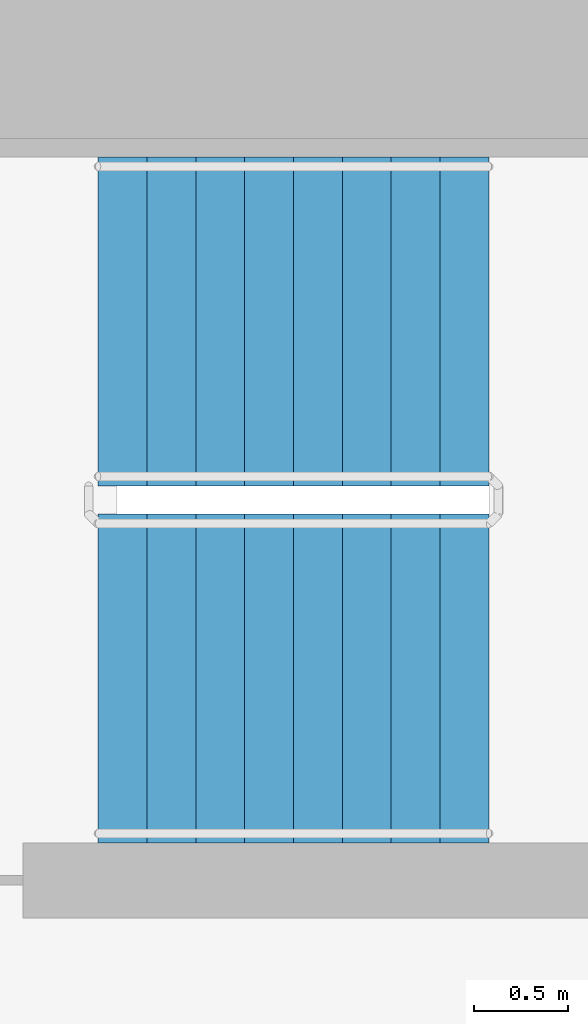
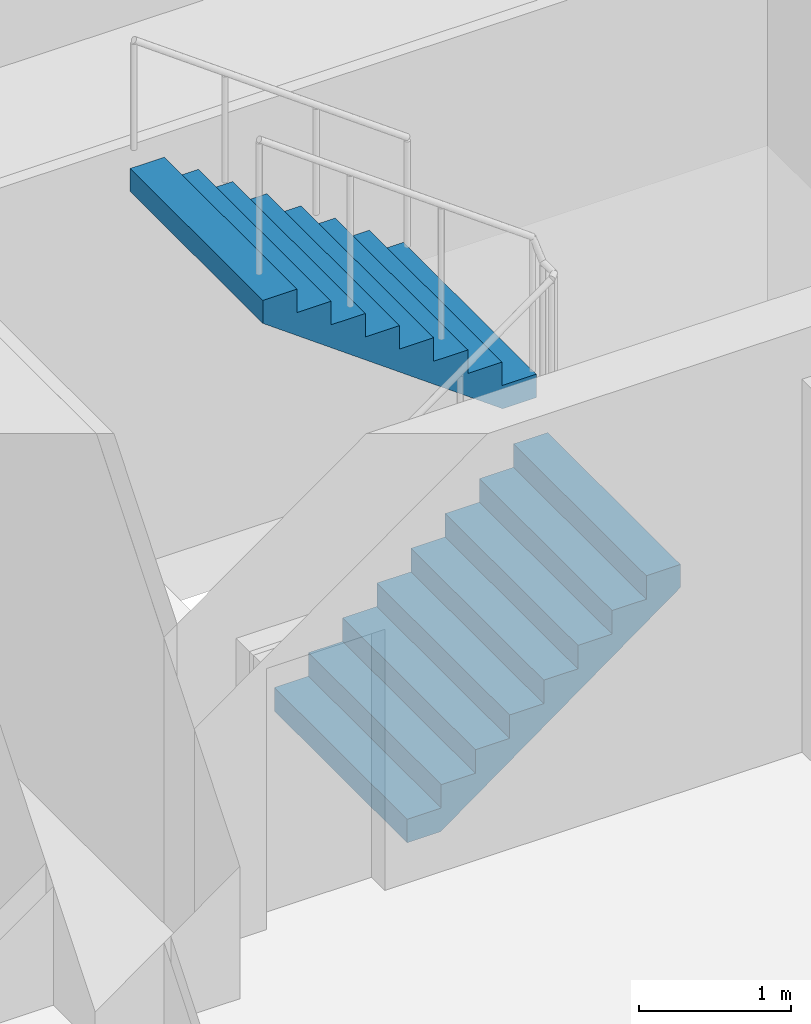
# One storey, part 19 of 25: 2 stair flights, 1 element without a shape of its own.
"""IFC4 building model written with IfcOpenShell, lengths in metres."""

from ifc_helpers import new_model, si_unit, direction, frame, origin, place, context, subcontext, project, spatial, faceted_brep, material, type_object, element, aggregate, save


model = new_model("IFC4")

# Units and contexts
model_context = context("Model", 3, precision=1e-05, world=origin(), true_north=direction((0.0, 1.0)))
body_context = subcontext(model_context, "Body", "Model", "MODEL_VIEW")
ifc_project = project(units=[si_unit("LENGTHUNIT", "METRE"), si_unit("AREAUNIT", "SQUARE_METRE"), si_unit("VOLUMEUNIT", "CUBIC_METRE"), si_unit("PLANEANGLEUNIT", "RADIAN"), si_unit("MASSUNIT", "GRAM", prefix="KILO")], contexts=[model_context])

# Site, building, storey
site_placement = place(None, origin())
site = spatial("IfcSite", under=ifc_project, at=site_placement, CompositionType="ELEMENT")
building_placement = place(site_placement, origin())
building = spatial("IfcBuilding", under=site, at=building_placement, Name="Ipe Terrace Towers", CompositionType="ELEMENT")
storey_placement = place(building_placement, frame((0.0, 0.0, 58.5)))
storey = spatial("IfcBuildingStorey", under=building, at=storey_placement, Name="L15", CompositionType="ELEMENT", Elevation=58.5)

# Stair, stair flights
ifc_material_1 = material(Name="Concrete C30/37", Category="concrete")
stair_type = type_object("IfcStairType", Name="Protected exit stair", PredefinedType="HALF_TURN_STAIR", material=ifc_material_1)
stair_placement = place(storey_placement, origin())
stair = element("IfcStair", 1, at=stair_placement, inside=storey, type_object=stair_type, Name="L15 Exit stair T1-C1", PredefinedType="HALF_TURN_STAIR")
ifc_material_2 = material(Name="Concrete C30/37", Category="concrete")
stair_flight_type = type_object("IfcStairFlightType", Name="Exit stair flight 1750", PredefinedType="STRAIGHT", material=ifc_material_2)
stair_flight_1_placement = place(storey_placement, frame((-26.300048828125, 2.77490234375, 0.0), z_axis=(0.0, 0.0, 1.0), x_axis=(1.0, 0.0, 0.0)))
stair_flight_1 = element("IfcStairFlight", 2, at=stair_flight_1_placement, type_object=stair_flight_type, Name="T1-ST1 flight 1", NumberOfRisers=9, NumberOfTreads=8, PredefinedType="STRAIGHT", RiserHeight=0.188888889, TreadLength=0.26, context=body_context, shape_type="Brep", body=[
    faceted_brep([(0.255126953125, -0.875, 0.0), (2.080078125, -0.875, 1.325927734375), (2.080078125, -0.875, 1.51123046875), (1.820068359375, -0.875, 1.51123046875), (1.820068359375, -0.875, 1.322265625), (1.56005859375, -0.875, 1.322265625), (1.56005859375, -0.875, 1.13330078125), (1.300048828125, -0.875, 1.13330078125), (1.300048828125, -0.875, 0.9443359375), (1.0400390625, -0.875, 0.9443359375), (1.0400390625, -0.875, 0.755615234375), (0.780029296875, -0.875, 0.755615234375), (0.780029296875, -0.875, 0.566650390625), (0.52001953125, -0.875, 0.566650390625), (0.52001953125, -0.875, 0.377685546875), (0.260009765625, -0.875, 0.377685546875), (0.260009765625, -0.875, 0.18896484375), (0.0, -0.875, 0.18896484375), (0.0, -0.875, 0.0), (0.0, 0.875, 0.0), (0.0, 0.875, 0.18896484375), (0.260009765625, 0.875, 0.18896484375), (0.260009765625, 0.875, 0.377685546875), (0.52001953125, 0.875, 0.377685546875), (0.52001953125, 0.875, 0.566650390625), (0.780029296875, 0.875, 0.566650390625), (0.780029296875, 0.875, 0.755615234375), (1.0400390625, 0.875, 0.755615234375), (1.0400390625, 0.875, 0.9443359375), (1.300048828125, 0.875, 0.9443359375), (1.300048828125, 0.875, 1.13330078125), (1.56005859375, 0.875, 1.13330078125), (1.56005859375, 0.875, 1.322265625), (1.820068359375, 0.875, 1.322265625), (1.820068359375, 0.875, 1.51123046875), (2.080078125, 0.875, 1.51123046875), (2.080078125, 0.875, 1.325927734375), (0.255126953125, 0.875, 0.0), (0.0, -0.300048828125, 0.18896484375), (0.0, -0.1201171875, 0.18896484375), (0.0, -0.06005859375, 0.18896484375), (0.0, -0.030029296875, 0.18896484375), (0.0, -0.010009765625, 0.18896484375), (0.0, 0.0, 0.18896484375), (0.0, 0.010009765625, 0.18896484375), (0.0, 0.030029296875, 0.18896484375), (0.0, 0.06005859375, 0.18896484375), (0.0, 0.1201171875, 0.18896484375), (0.0, 0.300048828125, 0.18896484375), (0.0, 0.300048828125, 0.0), (0.0, 0.1201171875, 0.0), (0.0, 0.06005859375, 0.0), (0.0, 0.030029296875, 0.0), (0.0, 0.010009765625, 0.0), (0.0, 0.0, 0.0), (0.0, -0.010009765625, 0.0), (0.0, -0.030029296875, 0.0), (0.0, -0.06005859375, 0.0), (0.0, -0.1201171875, 0.0), (0.0, -0.300048828125, 0.0), (0.260009765625, -0.300048828125, 0.18896484375), (0.260009765625, -0.1201171875, 0.18896484375), (0.260009765625, -0.06005859375, 0.18896484375), (0.260009765625, -0.030029296875, 0.18896484375), (0.260009765625, -0.010009765625, 0.18896484375), (0.260009765625, 0.0, 0.18896484375), (0.260009765625, 0.010009765625, 0.18896484375), (0.260009765625, 0.030029296875, 0.18896484375), (0.260009765625, 0.06005859375, 0.18896484375), (0.260009765625, 0.1201171875, 0.18896484375), (0.260009765625, 0.300048828125, 0.18896484375), (0.260009765625, -0.300048828125, 0.377685546875), (0.260009765625, -0.1201171875, 0.377685546875), (0.260009765625, -0.06005859375, 0.377685546875), (0.260009765625, -0.030029296875, 0.377685546875), (0.260009765625, -0.010009765625, 0.377685546875), (0.260009765625, 0.0, 0.377685546875), (0.260009765625, 0.010009765625, 0.377685546875), (0.260009765625, 0.030029296875, 0.377685546875), (0.260009765625, 0.06005859375, 0.377685546875), (0.260009765625, 0.1201171875, 0.377685546875), (0.260009765625, 0.300048828125, 0.377685546875), (0.52001953125, -0.300048828125, 0.377685546875), (0.52001953125, -0.1201171875, 0.377685546875), (0.52001953125, -0.06005859375, 0.377685546875), (0.52001953125, -0.030029296875, 0.377685546875), (0.52001953125, -0.010009765625, 0.377685546875), (0.52001953125, 0.0, 0.377685546875), (0.52001953125, 0.010009765625, 0.377685546875), (0.52001953125, 0.030029296875, 0.377685546875), (0.52001953125, 0.06005859375, 0.377685546875), (0.52001953125, 0.1201171875, 0.377685546875), (0.52001953125, 0.300048828125, 0.377685546875), (0.52001953125, -0.300048828125, 0.566650390625), (0.52001953125, -0.1201171875, 0.566650390625), (0.52001953125, -0.06005859375, 0.566650390625), (0.52001953125, -0.030029296875, 0.566650390625), (0.52001953125, -0.010009765625, 0.566650390625), (0.52001953125, 0.0, 0.566650390625), (0.52001953125, 0.010009765625, 0.566650390625), (0.52001953125, 0.030029296875, 0.566650390625), (0.52001953125, 0.06005859375, 0.566650390625), (0.52001953125, 0.1201171875, 0.566650390625), (0.52001953125, 0.300048828125, 0.566650390625), (0.780029296875, -0.300048828125, 0.566650390625), (0.780029296875, -0.1201171875, 0.566650390625), (0.780029296875, -0.06005859375, 0.566650390625), (0.780029296875, -0.030029296875, 0.566650390625), (0.780029296875, -0.010009765625, 0.566650390625), (0.780029296875, 0.0, 0.566650390625), (0.780029296875, 0.010009765625, 0.566650390625), (0.780029296875, 0.030029296875, 0.566650390625), (0.780029296875, 0.06005859375, 0.566650390625), (0.780029296875, 0.1201171875, 0.566650390625), (0.780029296875, 0.300048828125, 0.566650390625), (0.780029296875, -0.300048828125, 0.755615234375), (0.780029296875, -0.1201171875, 0.755615234375), (0.780029296875, -0.06005859375, 0.755615234375), (0.780029296875, -0.030029296875, 0.755615234375), (0.780029296875, -0.010009765625, 0.755615234375), (0.780029296875, 0.0, 0.755615234375), (0.780029296875, 0.010009765625, 0.755615234375), (0.780029296875, 0.030029296875, 0.755615234375), (0.780029296875, 0.06005859375, 0.755615234375), (0.780029296875, 0.1201171875, 0.755615234375), (0.780029296875, 0.300048828125, 0.755615234375), (1.0400390625, -0.300048828125, 0.755615234375), (1.0400390625, -0.1201171875, 0.755615234375), (1.0400390625, -0.06005859375, 0.755615234375), (1.0400390625, -0.030029296875, 0.755615234375), (1.0400390625, -0.010009765625, 0.755615234375), (1.0400390625, 0.0, 0.755615234375), (1.0400390625, 0.010009765625, 0.755615234375), (1.0400390625, 0.030029296875, 0.755615234375), (1.0400390625, 0.06005859375, 0.755615234375), (1.0400390625, 0.1201171875, 0.755615234375), (1.0400390625, 0.300048828125, 0.755615234375), (1.0400390625, -0.300048828125, 0.9443359375), (1.0400390625, -0.1201171875, 0.9443359375), (1.0400390625, -0.06005859375, 0.9443359375), (1.0400390625, -0.030029296875, 0.9443359375), (1.0400390625, -0.010009765625, 0.9443359375), (1.0400390625, 0.0, 0.9443359375), (1.0400390625, 0.010009765625, 0.9443359375), (1.0400390625, 0.030029296875, 0.9443359375), (1.0400390625, 0.06005859375, 0.9443359375), (1.0400390625, 0.1201171875, 0.9443359375), (1.0400390625, 0.300048828125, 0.9443359375), (1.300048828125, -0.300048828125, 0.9443359375), (1.300048828125, -0.1201171875, 0.9443359375), (1.300048828125, -0.06005859375, 0.9443359375), (1.300048828125, -0.030029296875, 0.9443359375), (1.300048828125, -0.010009765625, 0.9443359375), (1.300048828125, 0.0, 0.9443359375), (1.300048828125, 0.010009765625, 0.9443359375), (1.300048828125, 0.030029296875, 0.9443359375), (1.300048828125, 0.06005859375, 0.9443359375), (1.300048828125, 0.1201171875, 0.9443359375), (1.300048828125, 0.300048828125, 0.9443359375), (1.300048828125, -0.300048828125, 1.13330078125), (1.300048828125, -0.1201171875, 1.13330078125), (1.300048828125, -0.06005859375, 1.13330078125), (1.300048828125, -0.030029296875, 1.13330078125), (1.300048828125, -0.010009765625, 1.13330078125), (1.300048828125, 0.0, 1.13330078125), (1.300048828125, 0.010009765625, 1.13330078125), (1.300048828125, 0.030029296875, 1.13330078125), (1.300048828125, 0.06005859375, 1.13330078125), (1.300048828125, 0.1201171875, 1.13330078125), (1.300048828125, 0.300048828125, 1.13330078125), (1.56005859375, -0.300048828125, 1.13330078125), (1.56005859375, -0.1201171875, 1.13330078125), (1.56005859375, -0.06005859375, 1.13330078125), (1.56005859375, -0.030029296875, 1.13330078125), (1.56005859375, -0.010009765625, 1.13330078125), (1.56005859375, 0.0, 1.13330078125), (1.56005859375, 0.010009765625, 1.13330078125), (1.56005859375, 0.030029296875, 1.13330078125), (1.56005859375, 0.06005859375, 1.13330078125), (1.56005859375, 0.1201171875, 1.13330078125), (1.56005859375, 0.300048828125, 1.13330078125), (1.56005859375, -0.300048828125, 1.322265625), (1.56005859375, -0.1201171875, 1.322265625), (1.56005859375, -0.06005859375, 1.322265625), (1.56005859375, -0.030029296875, 1.322265625), (1.56005859375, -0.010009765625, 1.322265625), (1.56005859375, 0.0, 1.322265625), (1.56005859375, 0.010009765625, 1.322265625), (1.56005859375, 0.030029296875, 1.322265625), (1.56005859375, 0.06005859375, 1.322265625), (1.56005859375, 0.1201171875, 1.322265625), (1.56005859375, 0.300048828125, 1.322265625), (1.820068359375, -0.300048828125, 1.322265625), (1.820068359375, -0.1201171875, 1.322265625), (1.820068359375, -0.06005859375, 1.322265625), (1.820068359375, -0.030029296875, 1.322265625), (1.820068359375, -0.010009765625, 1.322265625), (1.820068359375, 0.0, 1.322265625), (1.820068359375, 0.010009765625, 1.322265625), (1.820068359375, 0.030029296875, 1.322265625), (1.820068359375, 0.06005859375, 1.322265625), (1.820068359375, 0.1201171875, 1.322265625), (1.820068359375, 0.300048828125, 1.322265625), (1.820068359375, -0.300048828125, 1.51123046875), (1.820068359375, -0.1201171875, 1.51123046875), (1.820068359375, -0.06005859375, 1.51123046875), (1.820068359375, -0.030029296875, 1.51123046875), (1.820068359375, -0.010009765625, 1.51123046875), (1.820068359375, 0.0, 1.51123046875), (1.820068359375, 0.010009765625, 1.51123046875), (1.820068359375, 0.030029296875, 1.51123046875), (1.820068359375, 0.06005859375, 1.51123046875), (1.820068359375, 0.1201171875, 1.51123046875), (1.820068359375, 0.300048828125, 1.51123046875), (2.080078125, -0.300048828125, 1.51123046875), (2.080078125, -0.1201171875, 1.51123046875), (2.080078125, -0.06005859375, 1.51123046875), (2.080078125, -0.030029296875, 1.51123046875), (2.080078125, -0.010009765625, 1.51123046875), (2.080078125, 0.0, 1.51123046875), (2.080078125, 0.010009765625, 1.51123046875), (2.080078125, 0.030029296875, 1.51123046875), (2.080078125, 0.06005859375, 1.51123046875), (2.080078125, 0.1201171875, 1.51123046875), (2.080078125, 0.300048828125, 1.51123046875), (2.080078125, -0.300048828125, 1.325927734375), (2.080078125, -0.1201171875, 1.325927734375), (2.080078125, -0.06005859375, 1.325927734375), (2.080078125, -0.030029296875, 1.325927734375), (2.080078125, -0.010009765625, 1.325927734375), (2.080078125, 0.0, 1.325927734375), (2.080078125, 0.010009765625, 1.325927734375), (2.080078125, 0.030029296875, 1.325927734375), (2.080078125, 0.06005859375, 1.325927734375), (2.080078125, 0.1201171875, 1.325927734375), (2.080078125, 0.300048828125, 1.325927734375), (0.255126953125, -0.300048828125, 0.0), (0.255126953125, -0.1201171875, 0.0), (0.255126953125, -0.06005859375, 0.0), (0.255126953125, -0.030029296875, 0.0), (0.255126953125, -0.010009765625, 0.0), (0.255126953125, 0.0, 0.0), (0.255126953125, 0.010009765625, 0.0), (0.255126953125, 0.030029296875, 0.0), (0.255126953125, 0.06005859375, 0.0), (0.255126953125, 0.1201171875, 0.0), (0.255126953125, 0.300048828125, 0.0)], [[[0, 1, 2, 3, 4, 5, 6, 7, 8, 9, 10, 11, 12, 13, 14, 15, 16, 17, 18]], [[19, 20, 21, 22, 23, 24, 25, 26, 27, 28, 29, 30, 31, 32, 33, 34, 35, 36, 37]], [[17, 38, 39, 40, 41, 42, 43, 44, 45, 46, 47, 48, 20, 19, 49, 50, 51, 52, 53, 54, 55, 56, 57, 58, 59, 18]], [[16, 60, 61, 62, 63, 64, 65, 66, 67, 68, 69, 70, 21, 20, 48, 47, 46, 45, 44, 43, 42, 41, 40, 39, 38, 17]], [[15, 71, 72, 73, 74, 75, 76, 77, 78, 79, 80, 81, 22, 21, 70, 69, 68, 67, 66, 65, 64, 63, 62, 61, 60, 16]], [[14, 82, 83, 84, 85, 86, 87, 88, 89, 90, 91, 92, 23, 22, 81, 80, 79, 78, 77, 76, 75, 74, 73, 72, 71, 15]], [[13, 93, 94, 95, 96, 97, 98, 99, 100, 101, 102, 103, 24, 23, 92, 91, 90, 89, 88, 87, 86, 85, 84, 83, 82, 14]], [[12, 104, 105, 106, 107, 108, 109, 110, 111, 112, 113, 114, 25, 24, 103, 102, 101, 100, 99, 98, 97, 96, 95, 94, 93, 13]], [[11, 115, 116, 117, 118, 119, 120, 121, 122, 123, 124, 125, 26, 25, 114, 113, 112, 111, 110, 109, 108, 107, 106, 105, 104, 12]], [[10, 126, 127, 128, 129, 130, 131, 132, 133, 134, 135, 136, 27, 26, 125, 124, 123, 122, 121, 120, 119, 118, 117, 116, 115, 11]], [[9, 137, 138, 139, 140, 141, 142, 143, 144, 145, 146, 147, 28, 27, 136, 135, 134, 133, 132, 131, 130, 129, 128, 127, 126, 10]], [[8, 148, 149, 150, 151, 152, 153, 154, 155, 156, 157, 158, 29, 28, 147, 146, 145, 144, 143, 142, 141, 140, 139, 138, 137, 9]], [[7, 159, 160, 161, 162, 163, 164, 165, 166, 167, 168, 169, 30, 29, 158, 157, 156, 155, 154, 153, 152, 151, 150, 149, 148, 8]], [[6, 170, 171, 172, 173, 174, 175, 176, 177, 178, 179, 180, 31, 30, 169, 168, 167, 166, 165, 164, 163, 162, 161, 160, 159, 7]], [[5, 181, 182, 183, 184, 185, 186, 187, 188, 189, 190, 191, 32, 31, 180, 179, 178, 177, 176, 175, 174, 173, 172, 171, 170, 6]], [[4, 192, 193, 194, 195, 196, 197, 198, 199, 200, 201, 202, 33, 32, 191, 190, 189, 188, 187, 186, 185, 184, 183, 182, 181, 5]], [[3, 203, 204, 205, 206, 207, 208, 209, 210, 211, 212, 213, 34, 33, 202, 201, 200, 199, 198, 197, 196, 195, 194, 193, 192, 4]], [[2, 214, 215, 216, 217, 218, 219, 220, 221, 222, 223, 224, 35, 34, 213, 212, 211, 210, 209, 208, 207, 206, 205, 204, 203, 3]], [[1, 225, 226, 227, 228, 229, 230, 231, 232, 233, 234, 235, 36, 35, 224, 223, 222, 221, 220, 219, 218, 217, 216, 215, 214, 2]], [[0, 236, 237, 238, 239, 240, 241, 242, 243, 244, 245, 246, 37, 36, 235, 234, 233, 232, 231, 230, 229, 228, 227, 226, 225, 1]], [[18, 59, 58, 57, 56, 55, 54, 53, 52, 51, 50, 49, 19, 37, 246, 245, 244, 243, 242, 241, 240, 239, 238, 237, 236, 0]]]),
])
stair_flight_2_placement = place(storey_placement, frame((-24.219970703125, 4.675048828125, 1.699951171875), z_axis=(0.0, 0.0, 1.0), x_axis=(-1.0, 0.0, 0.0)))
stair_flight_2 = element("IfcStairFlight", 3, at=stair_flight_2_placement, type_object=stair_flight_type, Name="T1-ST1 flight 2", NumberOfRisers=9, NumberOfTreads=8, PredefinedType="STRAIGHT", RiserHeight=0.188888889, TreadLength=0.26, context=body_context, shape_type="Brep", body=[
    faceted_brep([(0.255126953125, -0.875, 0.0), (2.080078125, -0.875, 1.325927734375), (2.080078125, -0.875, 1.51123046875), (1.820068359375, -0.875, 1.51123046875), (1.820068359375, -0.875, 1.322265625), (1.56005859375, -0.875, 1.322265625), (1.56005859375, -0.875, 1.13330078125), (1.300048828125, -0.875, 1.13330078125), (1.300048828125, -0.875, 0.9443359375), (1.0400390625, -0.875, 0.9443359375), (1.0400390625, -0.875, 0.755615234375), (0.780029296875, -0.875, 0.755615234375), (0.780029296875, -0.875, 0.566650390625), (0.52001953125, -0.875, 0.566650390625), (0.52001953125, -0.875, 0.377685546875), (0.260009765625, -0.875, 0.377685546875), (0.260009765625, -0.875, 0.18896484375), (0.0, -0.875, 0.18896484375), (0.0, -0.875, 0.0), (0.0, 0.875, 0.0), (0.0, 0.875, 0.18896484375), (0.260009765625, 0.875, 0.18896484375), (0.260009765625, 0.875, 0.377685546875), (0.52001953125, 0.875, 0.377685546875), (0.52001953125, 0.875, 0.566650390625), (0.780029296875, 0.875, 0.566650390625), (0.780029296875, 0.875, 0.755615234375), (1.0400390625, 0.875, 0.755615234375), (1.0400390625, 0.875, 0.9443359375), (1.300048828125, 0.875, 0.9443359375), (1.300048828125, 0.875, 1.13330078125), (1.56005859375, 0.875, 1.13330078125), (1.56005859375, 0.875, 1.322265625), (1.820068359375, 0.875, 1.322265625), (1.820068359375, 0.875, 1.51123046875), (2.080078125, 0.875, 1.51123046875), (2.080078125, 0.875, 1.325927734375), (0.255126953125, 0.875, 0.0), (0.0, -0.300048828125, 0.18896484375), (0.0, -0.1201171875, 0.18896484375), (0.0, -0.06005859375, 0.18896484375), (0.0, -0.030029296875, 0.18896484375), (0.0, -0.010009765625, 0.18896484375), (0.0, 0.0, 0.18896484375), (0.0, 0.010009765625, 0.18896484375), (0.0, 0.030029296875, 0.18896484375), (0.0, 0.06005859375, 0.18896484375), (0.0, 0.1201171875, 0.18896484375), (0.0, 0.300048828125, 0.18896484375), (0.0, 0.300048828125, 0.0), (0.0, 0.1201171875, 0.0), (0.0, 0.06005859375, 0.0), (0.0, 0.030029296875, 0.0), (0.0, 0.010009765625, 0.0), (0.0, 0.0, 0.0), (0.0, -0.010009765625, 0.0), (0.0, -0.030029296875, 0.0), (0.0, -0.06005859375, 0.0), (0.0, -0.1201171875, 0.0), (0.0, -0.300048828125, 0.0), (0.260009765625, -0.300048828125, 0.18896484375), (0.260009765625, -0.1201171875, 0.18896484375), (0.260009765625, -0.06005859375, 0.18896484375), (0.260009765625, -0.030029296875, 0.18896484375), (0.260009765625, -0.010009765625, 0.18896484375), (0.260009765625, 0.0, 0.18896484375), (0.260009765625, 0.010009765625, 0.18896484375), (0.260009765625, 0.030029296875, 0.18896484375), (0.260009765625, 0.06005859375, 0.18896484375), (0.260009765625, 0.1201171875, 0.18896484375), (0.260009765625, 0.300048828125, 0.18896484375), (0.260009765625, -0.300048828125, 0.377685546875), (0.260009765625, -0.1201171875, 0.377685546875), (0.260009765625, -0.06005859375, 0.377685546875), (0.260009765625, -0.030029296875, 0.377685546875), (0.260009765625, -0.010009765625, 0.377685546875), (0.260009765625, 0.0, 0.377685546875), (0.260009765625, 0.010009765625, 0.377685546875), (0.260009765625, 0.030029296875, 0.377685546875), (0.260009765625, 0.06005859375, 0.377685546875), (0.260009765625, 0.1201171875, 0.377685546875), (0.260009765625, 0.300048828125, 0.377685546875), (0.52001953125, -0.300048828125, 0.377685546875), (0.52001953125, -0.1201171875, 0.377685546875), (0.52001953125, -0.06005859375, 0.377685546875), (0.52001953125, -0.030029296875, 0.377685546875), (0.52001953125, -0.010009765625, 0.377685546875), (0.52001953125, 0.0, 0.377685546875), (0.52001953125, 0.010009765625, 0.377685546875), (0.52001953125, 0.030029296875, 0.377685546875), (0.52001953125, 0.06005859375, 0.377685546875), (0.52001953125, 0.1201171875, 0.377685546875), (0.52001953125, 0.300048828125, 0.377685546875), (0.52001953125, -0.300048828125, 0.566650390625), (0.52001953125, -0.1201171875, 0.566650390625), (0.52001953125, -0.06005859375, 0.566650390625), (0.52001953125, -0.030029296875, 0.566650390625), (0.52001953125, -0.010009765625, 0.566650390625), (0.52001953125, 0.0, 0.566650390625), (0.52001953125, 0.010009765625, 0.566650390625), (0.52001953125, 0.030029296875, 0.566650390625), (0.52001953125, 0.06005859375, 0.566650390625), (0.52001953125, 0.1201171875, 0.566650390625), (0.52001953125, 0.300048828125, 0.566650390625), (0.780029296875, -0.300048828125, 0.566650390625), (0.780029296875, -0.1201171875, 0.566650390625), (0.780029296875, -0.06005859375, 0.566650390625), (0.780029296875, -0.030029296875, 0.566650390625), (0.780029296875, -0.010009765625, 0.566650390625), (0.780029296875, 0.0, 0.566650390625), (0.780029296875, 0.010009765625, 0.566650390625), (0.780029296875, 0.030029296875, 0.566650390625), (0.780029296875, 0.06005859375, 0.566650390625), (0.780029296875, 0.1201171875, 0.566650390625), (0.780029296875, 0.300048828125, 0.566650390625), (0.780029296875, -0.300048828125, 0.755615234375), (0.780029296875, -0.1201171875, 0.755615234375), (0.780029296875, -0.06005859375, 0.755615234375), (0.780029296875, -0.030029296875, 0.755615234375), (0.780029296875, -0.010009765625, 0.755615234375), (0.780029296875, 0.0, 0.755615234375), (0.780029296875, 0.010009765625, 0.755615234375), (0.780029296875, 0.030029296875, 0.755615234375), (0.780029296875, 0.06005859375, 0.755615234375), (0.780029296875, 0.1201171875, 0.755615234375), (0.780029296875, 0.300048828125, 0.755615234375), (1.0400390625, -0.300048828125, 0.755615234375), (1.0400390625, -0.1201171875, 0.755615234375), (1.0400390625, -0.06005859375, 0.755615234375), (1.0400390625, -0.030029296875, 0.755615234375), (1.0400390625, -0.010009765625, 0.755615234375), (1.0400390625, 0.0, 0.755615234375), (1.0400390625, 0.010009765625, 0.755615234375), (1.0400390625, 0.030029296875, 0.755615234375), (1.0400390625, 0.06005859375, 0.755615234375), (1.0400390625, 0.1201171875, 0.755615234375), (1.0400390625, 0.300048828125, 0.755615234375), (1.0400390625, -0.300048828125, 0.9443359375), (1.0400390625, -0.1201171875, 0.9443359375), (1.0400390625, -0.06005859375, 0.9443359375), (1.0400390625, -0.030029296875, 0.9443359375), (1.0400390625, -0.010009765625, 0.9443359375), (1.0400390625, 0.0, 0.9443359375), (1.0400390625, 0.010009765625, 0.9443359375), (1.0400390625, 0.030029296875, 0.9443359375), (1.0400390625, 0.06005859375, 0.9443359375), (1.0400390625, 0.1201171875, 0.9443359375), (1.0400390625, 0.300048828125, 0.9443359375), (1.300048828125, -0.300048828125, 0.9443359375), (1.300048828125, -0.1201171875, 0.9443359375), (1.300048828125, -0.06005859375, 0.9443359375), (1.300048828125, -0.030029296875, 0.9443359375), (1.300048828125, -0.010009765625, 0.9443359375), (1.300048828125, 0.0, 0.9443359375), (1.300048828125, 0.010009765625, 0.9443359375), (1.300048828125, 0.030029296875, 0.9443359375), (1.300048828125, 0.06005859375, 0.9443359375), (1.300048828125, 0.1201171875, 0.9443359375), (1.300048828125, 0.300048828125, 0.9443359375), (1.300048828125, -0.300048828125, 1.13330078125), (1.300048828125, -0.1201171875, 1.13330078125), (1.300048828125, -0.06005859375, 1.13330078125), (1.300048828125, -0.030029296875, 1.13330078125), (1.300048828125, -0.010009765625, 1.13330078125), (1.300048828125, 0.0, 1.13330078125), (1.300048828125, 0.010009765625, 1.13330078125), (1.300048828125, 0.030029296875, 1.13330078125), (1.300048828125, 0.06005859375, 1.13330078125), (1.300048828125, 0.1201171875, 1.13330078125), (1.300048828125, 0.300048828125, 1.13330078125), (1.56005859375, -0.300048828125, 1.13330078125), (1.56005859375, -0.1201171875, 1.13330078125), (1.56005859375, -0.06005859375, 1.13330078125), (1.56005859375, -0.030029296875, 1.13330078125), (1.56005859375, -0.010009765625, 1.13330078125), (1.56005859375, 0.0, 1.13330078125), (1.56005859375, 0.010009765625, 1.13330078125), (1.56005859375, 0.030029296875, 1.13330078125), (1.56005859375, 0.06005859375, 1.13330078125), (1.56005859375, 0.1201171875, 1.13330078125), (1.56005859375, 0.300048828125, 1.13330078125), (1.56005859375, -0.300048828125, 1.322265625), (1.56005859375, -0.1201171875, 1.322265625), (1.56005859375, -0.06005859375, 1.322265625), (1.56005859375, -0.030029296875, 1.322265625), (1.56005859375, -0.010009765625, 1.322265625), (1.56005859375, 0.0, 1.322265625), (1.56005859375, 0.010009765625, 1.322265625), (1.56005859375, 0.030029296875, 1.322265625), (1.56005859375, 0.06005859375, 1.322265625), (1.56005859375, 0.1201171875, 1.322265625), (1.56005859375, 0.300048828125, 1.322265625), (1.820068359375, -0.300048828125, 1.322265625), (1.820068359375, -0.1201171875, 1.322265625), (1.820068359375, -0.06005859375, 1.322265625), (1.820068359375, -0.030029296875, 1.322265625), (1.820068359375, -0.010009765625, 1.322265625), (1.820068359375, 0.0, 1.322265625), (1.820068359375, 0.010009765625, 1.322265625), (1.820068359375, 0.030029296875, 1.322265625), (1.820068359375, 0.06005859375, 1.322265625), (1.820068359375, 0.1201171875, 1.322265625), (1.820068359375, 0.300048828125, 1.322265625), (1.820068359375, -0.300048828125, 1.51123046875), (1.820068359375, -0.1201171875, 1.51123046875), (1.820068359375, -0.06005859375, 1.51123046875), (1.820068359375, -0.030029296875, 1.51123046875), (1.820068359375, -0.010009765625, 1.51123046875), (1.820068359375, 0.0, 1.51123046875), (1.820068359375, 0.010009765625, 1.51123046875), (1.820068359375, 0.030029296875, 1.51123046875), (1.820068359375, 0.06005859375, 1.51123046875), (1.820068359375, 0.1201171875, 1.51123046875), (1.820068359375, 0.300048828125, 1.51123046875), (2.080078125, -0.300048828125, 1.51123046875), (2.080078125, -0.1201171875, 1.51123046875), (2.080078125, -0.06005859375, 1.51123046875), (2.080078125, -0.030029296875, 1.51123046875), (2.080078125, -0.010009765625, 1.51123046875), (2.080078125, 0.0, 1.51123046875), (2.080078125, 0.010009765625, 1.51123046875), (2.080078125, 0.030029296875, 1.51123046875), (2.080078125, 0.06005859375, 1.51123046875), (2.080078125, 0.1201171875, 1.51123046875), (2.080078125, 0.300048828125, 1.51123046875), (2.080078125, -0.300048828125, 1.325927734375), (2.080078125, -0.1201171875, 1.325927734375), (2.080078125, -0.06005859375, 1.325927734375), (2.080078125, -0.030029296875, 1.325927734375), (2.080078125, -0.010009765625, 1.325927734375), (2.080078125, 0.0, 1.325927734375), (2.080078125, 0.010009765625, 1.325927734375), (2.080078125, 0.030029296875, 1.325927734375), (2.080078125, 0.06005859375, 1.325927734375), (2.080078125, 0.1201171875, 1.325927734375), (2.080078125, 0.300048828125, 1.325927734375), (0.255126953125, -0.300048828125, 0.0), (0.255126953125, -0.1201171875, 0.0), (0.255126953125, -0.06005859375, 0.0), (0.255126953125, -0.030029296875, 0.0), (0.255126953125, -0.010009765625, 0.0), (0.255126953125, 0.0, 0.0), (0.255126953125, 0.010009765625, 0.0), (0.255126953125, 0.030029296875, 0.0), (0.255126953125, 0.06005859375, 0.0), (0.255126953125, 0.1201171875, 0.0), (0.255126953125, 0.300048828125, 0.0)], [[[0, 1, 2, 3, 4, 5, 6, 7, 8, 9, 10, 11, 12, 13, 14, 15, 16, 17, 18]], [[19, 20, 21, 22, 23, 24, 25, 26, 27, 28, 29, 30, 31, 32, 33, 34, 35, 36, 37]], [[17, 38, 39, 40, 41, 42, 43, 44, 45, 46, 47, 48, 20, 19, 49, 50, 51, 52, 53, 54, 55, 56, 57, 58, 59, 18]], [[16, 60, 61, 62, 63, 64, 65, 66, 67, 68, 69, 70, 21, 20, 48, 47, 46, 45, 44, 43, 42, 41, 40, 39, 38, 17]], [[15, 71, 72, 73, 74, 75, 76, 77, 78, 79, 80, 81, 22, 21, 70, 69, 68, 67, 66, 65, 64, 63, 62, 61, 60, 16]], [[14, 82, 83, 84, 85, 86, 87, 88, 89, 90, 91, 92, 23, 22, 81, 80, 79, 78, 77, 76, 75, 74, 73, 72, 71, 15]], [[13, 93, 94, 95, 96, 97, 98, 99, 100, 101, 102, 103, 24, 23, 92, 91, 90, 89, 88, 87, 86, 85, 84, 83, 82, 14]], [[12, 104, 105, 106, 107, 108, 109, 110, 111, 112, 113, 114, 25, 24, 103, 102, 101, 100, 99, 98, 97, 96, 95, 94, 93, 13]], [[11, 115, 116, 117, 118, 119, 120, 121, 122, 123, 124, 125, 26, 25, 114, 113, 112, 111, 110, 109, 108, 107, 106, 105, 104, 12]], [[10, 126, 127, 128, 129, 130, 131, 132, 133, 134, 135, 136, 27, 26, 125, 124, 123, 122, 121, 120, 119, 118, 117, 116, 115, 11]], [[9, 137, 138, 139, 140, 141, 142, 143, 144, 145, 146, 147, 28, 27, 136, 135, 134, 133, 132, 131, 130, 129, 128, 127, 126, 10]], [[8, 148, 149, 150, 151, 152, 153, 154, 155, 156, 157, 158, 29, 28, 147, 146, 145, 144, 143, 142, 141, 140, 139, 138, 137, 9]], [[7, 159, 160, 161, 162, 163, 164, 165, 166, 167, 168, 169, 30, 29, 158, 157, 156, 155, 154, 153, 152, 151, 150, 149, 148, 8]], [[6, 170, 171, 172, 173, 174, 175, 176, 177, 178, 179, 180, 31, 30, 169, 168, 167, 166, 165, 164, 163, 162, 161, 160, 159, 7]], [[5, 181, 182, 183, 184, 185, 186, 187, 188, 189, 190, 191, 32, 31, 180, 179, 178, 177, 176, 175, 174, 173, 172, 171, 170, 6]], [[4, 192, 193, 194, 195, 196, 197, 198, 199, 200, 201, 202, 33, 32, 191, 190, 189, 188, 187, 186, 185, 184, 183, 182, 181, 5]], [[3, 203, 204, 205, 206, 207, 208, 209, 210, 211, 212, 213, 34, 33, 202, 201, 200, 199, 198, 197, 196, 195, 194, 193, 192, 4]], [[2, 214, 215, 216, 217, 218, 219, 220, 221, 222, 223, 224, 35, 34, 213, 212, 211, 210, 209, 208, 207, 206, 205, 204, 203, 3]], [[1, 225, 226, 227, 228, 229, 230, 231, 232, 233, 234, 235, 36, 35, 224, 223, 222, 221, 220, 219, 218, 217, 216, 215, 214, 2]], [[0, 236, 237, 238, 239, 240, 241, 242, 243, 244, 245, 246, 37, 36, 235, 234, 233, 232, 231, 230, 229, 228, 227, 226, 225, 1]], [[18, 59, 58, 57, 56, 55, 54, 53, 52, 51, 50, 49, 19, 37, 246, 245, 244, 243, 242, 241, 240, 239, 238, 237, 236, 0]]]),
])
aggregate(stair, [stair_flight_1, stair_flight_2])

save(model, "model.ifc")
